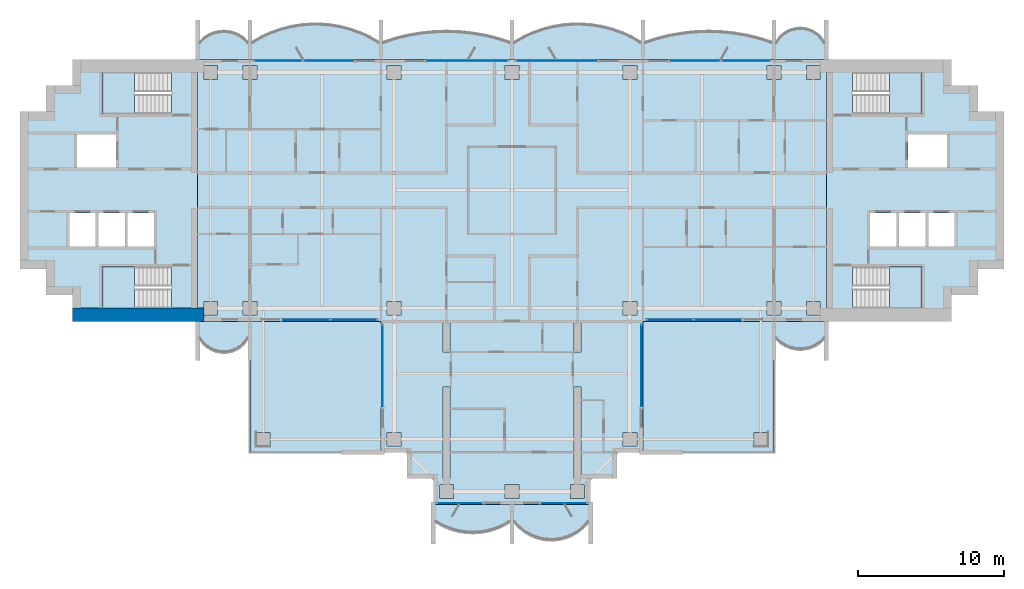
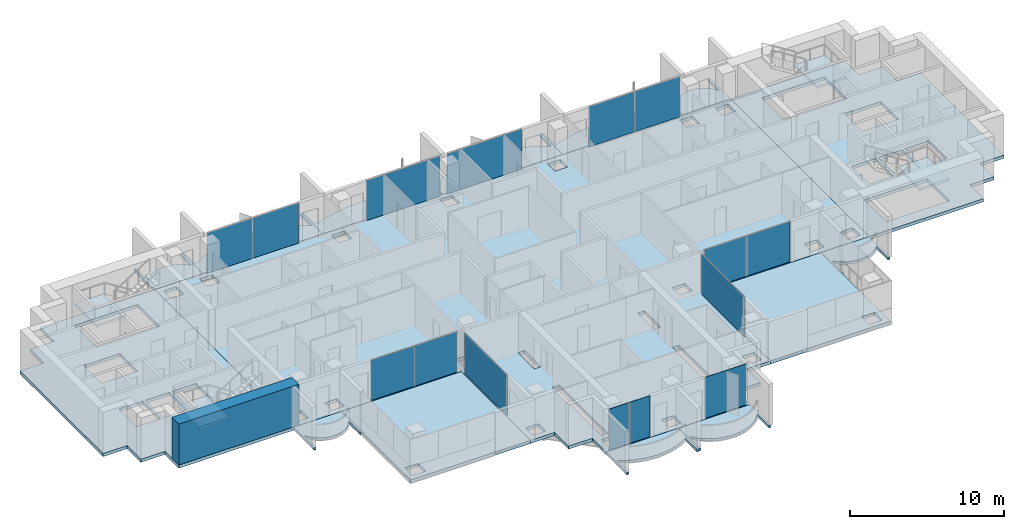
# One storey, part 7 of 17: 19 slabs, 14 plates, 1 wall, 14 elements without a shape of their own.
"""IFC4 building model written with IfcOpenShell, lengths in metres."""

from ifc_helpers import new_model, si_unit, direction, frame, frame_2d, origin, origin_2d, place, context, subcontext, project, spatial, polyline, rectangle, outline, extrude, material, layer, layer_set, type_object, element, aggregate, save


model = new_model("IFC4")

# Units and contexts
model_context = context("Model", 3, precision=1e-05, world=origin(), true_north=direction((0.0, 1.0)))
body_context = subcontext(model_context, "Body", "Model", "MODEL_VIEW")
ifc_project = project(units=[si_unit("LENGTHUNIT", "METRE"), si_unit("AREAUNIT", "SQUARE_METRE"), si_unit("VOLUMEUNIT", "CUBIC_METRE"), si_unit("PLANEANGLEUNIT", "RADIAN"), si_unit("MASSUNIT", "GRAM", prefix="KILO")], contexts=[model_context])

# Site, building, storey
site_placement = place(None, origin())
site = spatial("IfcSite", under=ifc_project, at=site_placement, CompositionType="ELEMENT")
building_placement = place(site_placement, origin())
building = spatial("IfcBuilding", under=site, at=building_placement, Name="Perihelion Cross Residences", CompositionType="ELEMENT")
storey_placement = place(building_placement, frame((0.0, 0.0, 201.60009765625)))
storey = spatial("IfcBuildingStorey", under=building, at=storey_placement, Name="L50", CompositionType="ELEMENT", Elevation=201.60009765625)

# Slabs
ifc_material_1 = material(Name="Concrete C40/50", Category="concrete")
ifc_layer_1 = layer(ifc_material_1, 0.199951171875)
ifc_layer_set_1 = layer_set([ifc_layer_1], Name="Balcony slab 200")
slab_type_1 = type_object("IfcSlabType", Name="Balcony slab 200", PredefinedType="FLOOR", material=ifc_layer_set_1)
slab_1_placement = place(storey_placement, frame((0.0, 0.0, -0.2001953125)))
element("IfcSlab", 1, at=slab_1_placement, inside=storey, type_object=slab_type_1, Name="Slab BK1 L50 east side north bay 1 balcony", PredefinedType="FLOOR", context=body_context, shape_type="SweptSolid", body=[
    extrude(outline(polyline([(21.60009765625, 9.0), (18.0, 9.0), (18.0, 11.699951171875), (18.14990234375, 11.699951171875), (18.14990234375, 10.199951171875), (18.425048828125, 10.568603515625), (18.699951171875, 10.806396484375), (18.97509765625, 10.96875), (19.25, 11.07568359375), (19.52490234375, 11.136962890625), (19.800048828125, 11.156982421875), (20.074951171875, 11.136962890625), (20.35009765625, 11.07568359375), (20.625, 10.96875), (20.89990234375, 10.806396484375), (21.175048828125, 10.568603515625), (21.449951171875, 10.199951171875), (21.449951171875, 11.699951171875), (21.60009765625, 11.699951171875), (21.60009765625, 9.0)])), origin(), (0.0, 0.0, 1.0), 0.2001953125),
])
slab_2_placement = place(storey_placement, frame((0.0, 0.0, -0.2001953125)))
element("IfcSlab", 2, at=slab_2_placement, inside=storey, type_object=slab_type_1, Name="Slab BK1 L50 east side north bay 2 balcony", PredefinedType="FLOOR", context=body_context, shape_type="SweptSolid", body=[
    extrude(outline(polyline([(18.0, 9.0), (9.0, 9.0), (9.0, 11.699951171875), (9.14990234375, 11.699951171875), (9.14990234375, 10.199951171875), (10.02001953125, 10.47509765625), (10.889892578125, 10.68505859375), (11.760009765625, 10.8330078125), (12.6298828125, 10.9208984375), (13.5, 10.949951171875), (14.3701171875, 10.9208984375), (15.239990234375, 10.8330078125), (16.110107421875, 10.68505859375), (16.97998046875, 10.47509765625), (17.85009765625, 10.199951171875), (17.85009765625, 11.699951171875), (18.0, 11.699951171875), (18.0, 9.0)])), origin(), (0.0, 0.0, 1.0), 0.2001953125),
])
slab_3_placement = place(storey_placement, frame((0.0, 0.0, -0.2001953125)))
element("IfcSlab", 3, at=slab_3_placement, inside=storey, type_object=slab_type_1, Name="Slab BK1 L50 north side east bay 1 balcony", PredefinedType="FLOOR", context=body_context, shape_type="SweptSolid", body=[
    extrude(outline(polyline([(9.0, 9.0), (0.0, 9.0), (0.0, 11.699951171875), (0.14990234375, 11.699951171875), (0.14990234375, 10.199951171875), (0.8193359375, 10.57666015625), (1.488525390625, 10.87646484375), (2.15771484375, 11.108154296875), (2.826904296875, 11.27734375), (3.49609375, 11.38818359375), (4.165283203125, 11.443115234375), (4.834716796875, 11.443115234375), (5.50390625, 11.38818359375), (6.173095703125, 11.27734375), (6.84228515625, 11.108154296875), (7.511474609375, 10.87646484375), (8.1806640625, 10.57666015625), (8.85009765625, 10.199951171875), (8.85009765625, 11.699951171875), (9.0, 11.699951171875), (9.0, 9.0)])), origin(), (0.0, 0.0, 1.0), 0.2001953125),
])
slab_4_placement = place(storey_placement, frame((0.0, 0.0, -0.2001953125)))
element("IfcSlab", 4, at=slab_4_placement, inside=storey, type_object=slab_type_1, Name="Slab BK1 L50 north side east bay 2 balcony", PredefinedType="FLOOR", context=body_context, shape_type="SweptSolid", body=[
    extrude(outline(polyline([(0.0, 9.0), (-9.0, 9.0), (-9.0, 11.699951171875), (-8.85009765625, 11.699951171875), (-8.85009765625, 10.199951171875), (-7.97998046875, 10.47509765625), (-7.110107421875, 10.68505859375), (-6.239990234375, 10.8330078125), (-5.3701171875, 10.9208984375), (-4.5, 10.949951171875), (-3.6298828125, 10.9208984375), (-2.760009765625, 10.8330078125), (-1.889892578125, 10.68505859375), (-1.02001953125, 10.47509765625), (-0.14990234375, 10.199951171875), (-0.14990234375, 11.699951171875), (0.0, 11.699951171875), (0.0, 9.0)])), origin(), (0.0, 0.0, 1.0), 0.2001953125),
])
slab_5_placement = place(storey_placement, frame((0.0, 0.0, -0.2001953125)))
element("IfcSlab", 5, at=slab_5_placement, inside=storey, type_object=slab_type_1, Name="Slab BK1 L50 west side north bay 1 balcony", PredefinedType="FLOOR", context=body_context, shape_type="SweptSolid", body=[
    extrude(outline(polyline([(-9.0, 9.0), (-18.0, 9.0), (-18.0, 11.699951171875), (-17.85009765625, 11.699951171875), (-17.85009765625, 10.199951171875), (-17.1806640625, 10.57666015625), (-16.511474609375, 10.87646484375), (-15.84228515625, 11.108154296875), (-15.173095703125, 11.27734375), (-14.50390625, 11.38818359375), (-13.834716796875, 11.443115234375), (-13.165283203125, 11.443115234375), (-12.49609375, 11.38818359375), (-11.826904296875, 11.27734375), (-11.15771484375, 11.108154296875), (-10.488525390625, 10.87646484375), (-9.8193359375, 10.57666015625), (-9.14990234375, 10.199951171875), (-9.14990234375, 11.699951171875), (-9.0, 11.699951171875), (-9.0, 9.0)])), origin(), (0.0, 0.0, 1.0), 0.2001953125),
])
slab_6_placement = place(storey_placement, frame((0.0, 0.0, -0.2001953125)))
element("IfcSlab", 6, at=slab_6_placement, inside=storey, type_object=slab_type_1, Name="Slab BK1 L50 west side north bay 2 balcony", PredefinedType="FLOOR", context=body_context, shape_type="SweptSolid", body=[
    extrude(outline(polyline([(-18.0, 9.0), (-21.60009765625, 9.0), (-21.60009765625, 11.699951171875), (-21.449951171875, 11.699951171875), (-21.449951171875, 10.199951171875), (-21.1201171875, 10.507568359375), (-20.7900390625, 10.71337890625), (-20.4599609375, 10.84814453125), (-20.1298828125, 10.925048828125), (-19.800048828125, 10.949951171875), (-19.469970703125, 10.925048828125), (-19.139892578125, 10.84814453125), (-18.81005859375, 10.71337890625), (-18.47998046875, 10.507568359375), (-18.14990234375, 10.199951171875), (-18.14990234375, 11.699951171875), (-18.0, 11.699951171875), (-18.0, 9.0)])), origin(), (0.0, 0.0, 1.0), 0.2001953125),
])
slab_7_placement = place(storey_placement, frame((0.0, 0.0, -0.2001953125)))
element("IfcSlab", 7, at=slab_7_placement, inside=storey, type_object=slab_type_1, Name="Slab BK1 L50 west side south bay 1 balcony", PredefinedType="FLOOR", context=body_context, shape_type="SweptSolid", body=[
    extrude(outline(polyline([(-21.60009765625, -9.0), (-18.0, -9.0), (-18.0, -11.699951171875), (-18.14990234375, -11.699951171875), (-18.14990234375, -10.199951171875), (-18.425048828125, -10.568603515625), (-18.699951171875, -10.806396484375), (-18.97509765625, -10.96875), (-19.25, -11.07568359375), (-19.52490234375, -11.136962890625), (-19.800048828125, -11.156982421875), (-20.074951171875, -11.136962890625), (-20.35009765625, -11.07568359375), (-20.625, -10.96875), (-20.89990234375, -10.806396484375), (-21.175048828125, -10.568603515625), (-21.449951171875, -10.199951171875), (-21.449951171875, -11.699951171875), (-21.60009765625, -11.699951171875), (-21.60009765625, -9.0)])), origin(), (0.0, 0.0, 1.0), 0.2001953125),
])
slab_8_placement = place(storey_placement, frame((0.0, 0.0, -0.2001953125)))
element("IfcSlab", 8, at=slab_8_placement, inside=storey, type_object=slab_type_1, Name="Slab BK1 L50 south tip south bay 1 balcony", PredefinedType="FLOOR", context=body_context, shape_type="SweptSolid", body=[
    extrude(outline(polyline([(-5.39990234375, -21.60009765625), (0.0, -21.60009765625), (0.0, -24.300048828125), (-0.14990234375, -24.300048828125), (-0.14990234375, -22.800048828125), (-0.659912109375, -23.085205078125), (-1.169921875, -23.294677734375), (-1.679931640625, -23.438232421875), (-2.18994140625, -23.522216796875), (-2.699951171875, -23.550048828125), (-3.2099609375, -23.522216796875), (-3.719970703125, -23.438232421875), (-4.22998046875, -23.294677734375), (-4.739990234375, -23.085205078125), (-5.25, -22.800048828125), (-5.25, -24.300048828125), (-5.39990234375, -24.300048828125), (-5.39990234375, -21.60009765625)])), origin(), (0.0, 0.0, 1.0), 0.2001953125),
])
slab_9_placement = place(storey_placement, frame((0.0, 0.0, -0.2001953125)))
element("IfcSlab", 9, at=slab_9_placement, inside=storey, type_object=slab_type_1, Name="Slab BK1 L50 south tip south bay 2 balcony", PredefinedType="FLOOR", context=body_context, shape_type="SweptSolid", body=[
    extrude(outline(polyline([(0.0, -21.60009765625), (5.39990234375, -21.60009765625), (5.39990234375, -24.300048828125), (5.25, -24.300048828125), (5.25, -22.800048828125), (4.857666015625, -23.22216796875), (4.46533203125, -23.524169921875), (4.072998046875, -23.7431640625), (3.6806640625, -23.897216796875), (3.28857421875, -23.995849609375), (2.896240234375, -24.0439453125), (2.50390625, -24.0439453125), (2.111572265625, -23.995849609375), (1.71923828125, -23.897216796875), (1.326904296875, -23.7431640625), (0.9345703125, -23.524169921875), (0.542236328125, -23.22216796875), (0.14990234375, -22.800048828125), (0.14990234375, -24.300048828125), (0.0, -24.300048828125), (0.0, -21.60009765625)])), origin(), (0.0, 0.0, 1.0), 0.2001953125),
])
slab_10_placement = place(storey_placement, frame((0.0, 0.0, -0.2001953125)))
element("IfcSlab", 10, at=slab_10_placement, inside=storey, type_object=slab_type_1, Name="Slab BK1 L50 east side south bay 2 balcony", PredefinedType="FLOOR", context=body_context, shape_type="SweptSolid", body=[
    extrude(outline(polyline([(18.0, -9.0), (21.60009765625, -9.0), (21.60009765625, -11.699951171875), (21.449951171875, -11.699951171875), (21.449951171875, -10.199951171875), (21.1201171875, -10.507568359375), (20.7900390625, -10.71337890625), (20.4599609375, -10.84814453125), (20.1298828125, -10.925048828125), (19.800048828125, -10.949951171875), (19.469970703125, -10.925048828125), (19.139892578125, -10.84814453125), (18.81005859375, -10.71337890625), (18.47998046875, -10.507568359375), (18.14990234375, -10.199951171875), (18.14990234375, -11.699951171875), (18.0, -11.699951171875), (18.0, -9.0)])), origin(), (0.0, 0.0, 1.0), 0.2001953125),
])

# Curtain wall, plates
ifc_material_2 = material(Name="Bronze anodised aluminium, tinted glazing", Category="aluminium")
curtain_wall_type = type_object("IfcCurtainWallType", Name="CW1", PredefinedType="NOTDEFINED", material=ifc_material_2)
curtain_wall_1_placement = place(storey_placement, origin())
curtain_wall_1 = element("IfcCurtainWall", 11, at=curtain_wall_1_placement, inside=storey, type_object=curtain_wall_type, Name="Curtain wall CW1 L50 east side north bay 2", PredefinedType="NOTDEFINED")
ifc_material_3 = material(Name="Tinted laminated glass", Category="glass")
ifc_layer_2 = layer(ifc_material_3, 0.028076171875)
ifc_layer_set_2 = layer_set([ifc_layer_2], Name="CW1 panel")
plate_type = type_object("IfcPlateType", Name="CW1 panel", PredefinedType="CURTAIN_PANEL", material=ifc_layer_set_2)
plate_1_placement = place(storey_placement, frame((16.06005859375, 8.89990234375, 0.0), z_axis=(0.0, 0.0, 1.0), x_axis=(-1.0, 0.0, 0.0)))
plate_1 = element("IfcPlate", 12, at=plate_1_placement, type_object=plate_type, Name="CW1 panel 1", PredefinedType="CURTAIN_PANEL", context=body_context, shape_type="SweptSolid", body=[
    extrude(rectangle(XDim=3.360107421875, YDim=0.028076171875, at=origin_2d()), origin(), (0.0, 0.0, 1.0), 3.18994140625),
])
plate_2_placement = place(storey_placement, frame((12.610107421875, 8.89990234375, 0.0), z_axis=(0.0, 0.0, 1.0), x_axis=(-1.0, 0.0, 0.0)))
plate_2 = element("IfcPlate", 13, at=plate_2_placement, type_object=plate_type, Name="CW1 panel 2", PredefinedType="CURTAIN_PANEL", context=body_context, shape_type="SweptSolid", body=[
    extrude(rectangle(XDim=3.419921875, YDim=0.028076171875, at=origin_2d()), origin(), (0.0, 0.0, 1.0), 3.18994140625),
])
aggregate(curtain_wall_1, [plate_1, plate_2])

# Curtain wall, plate
curtain_wall_2_placement = place(storey_placement, origin())
curtain_wall_2 = element("IfcCurtainWall", 14, at=curtain_wall_2_placement, inside=storey, type_object=curtain_wall_type, Name="Curtain wall CW1 L50 north side east bay 1", PredefinedType="NOTDEFINED")
plate_3_placement = place(storey_placement, frame((3.04248046875, 8.89990234375, 0.0), z_axis=(0.0, 0.0, 1.0), x_axis=(-1.0, 0.0, 0.0)))
plate_3 = element("IfcPlate", 15, at=plate_3_placement, type_object=plate_type, Name="CW1 panel 1", PredefinedType="CURTAIN_PANEL", context=body_context, shape_type="SweptSolid", body=[
    extrude(rectangle(XDim=5.56494140625, YDim=0.028076171875, at=origin_2d()), origin(), (0.0, 0.0, 1.0), 3.18994140625),
])
aggregate(curtain_wall_2, [plate_3])

curtain_wall_3_placement = place(storey_placement, origin())
curtain_wall_3 = element("IfcCurtainWall", 16, at=curtain_wall_3_placement, inside=storey, type_object=curtain_wall_type, Name="Curtain wall CW1 L50 north side east bay 2", PredefinedType="NOTDEFINED")
plate_4_placement = place(storey_placement, frame((-3.04248046875, 8.89990234375, 0.0), z_axis=(0.0, 0.0, 1.0), x_axis=(-1.0, 0.0, 0.0)))
plate_4 = element("IfcPlate", 17, at=plate_4_placement, type_object=plate_type, Name="CW1 panel 1", PredefinedType="CURTAIN_PANEL", context=body_context, shape_type="SweptSolid", body=[
    extrude(rectangle(XDim=5.56494140625, YDim=0.028076171875, at=origin_2d()), origin(), (0.0, 0.0, 1.0), 3.18994140625),
])
aggregate(curtain_wall_3, [plate_4])

# Curtain wall, plates
curtain_wall_4_placement = place(storey_placement, origin())
curtain_wall_4 = element("IfcCurtainWall", 18, at=curtain_wall_4_placement, inside=storey, type_object=curtain_wall_type, Name="Curtain wall CW1 L50 west side north bay 1", PredefinedType="NOTDEFINED")
plate_5_placement = place(storey_placement, frame((-12.610107421875, 8.89990234375, 0.0), z_axis=(0.0, 0.0, 1.0), x_axis=(-1.0, 0.0, 0.0)))
plate_5 = element("IfcPlate", 19, at=plate_5_placement, type_object=plate_type, Name="CW1 panel 1", PredefinedType="CURTAIN_PANEL", context=body_context, shape_type="SweptSolid", body=[
    extrude(rectangle(XDim=3.419921875, YDim=0.028076171875, at=origin_2d()), origin(), (0.0, 0.0, 1.0), 3.18994140625),
])
plate_6_placement = place(storey_placement, frame((-16.06005859375, 8.89990234375, 0.0), z_axis=(0.0, 0.0, 1.0), x_axis=(-1.0, 0.0, 0.0)))
plate_6 = element("IfcPlate", 20, at=plate_6_placement, type_object=plate_type, Name="CW1 panel 2", PredefinedType="CURTAIN_PANEL", context=body_context, shape_type="SweptSolid", body=[
    extrude(rectangle(XDim=3.360107421875, YDim=0.028076171875, at=origin_2d()), origin(), (0.0, 0.0, 1.0), 3.18994140625),
])
aggregate(curtain_wall_4, [plate_5, plate_6])

curtain_wall_5_placement = place(storey_placement, origin())
curtain_wall_5 = element("IfcCurtainWall", 21, at=curtain_wall_5_placement, inside=storey, type_object=curtain_wall_type, Name="Curtain wall CW1 L50 west side south bay 2", PredefinedType="NOTDEFINED")
plate_7_placement = place(storey_placement, frame((-14.108642578125, -8.89990234375, 0.0), z_axis=(0.0, 0.0, 1.0), x_axis=(1.0, 0.0, 0.0)))
plate_7 = element("IfcPlate", 22, at=plate_7_placement, type_object=plate_type, Name="CW1 panel 1", PredefinedType="CURTAIN_PANEL", context=body_context, shape_type="SweptSolid", body=[
    extrude(rectangle(XDim=3.232421875, YDim=0.028076171875, at=origin_2d()), origin(), (0.0, 0.0, 1.0), 3.18994140625),
])
plate_8_placement = place(storey_placement, frame((-10.84619140625, -8.89990234375, 0.0), z_axis=(0.0, 0.0, 1.0), x_axis=(1.0, 0.0, 0.0)))
plate_8 = element("IfcPlate", 23, at=plate_8_placement, type_object=plate_type, Name="CW1 panel 2", PredefinedType="CURTAIN_PANEL", context=body_context, shape_type="SweptSolid", body=[
    extrude(rectangle(XDim=3.172607421875, YDim=0.028076171875, at=origin_2d()), origin(), (0.0, 0.0, 1.0), 3.18994140625),
])
aggregate(curtain_wall_5, [plate_7, plate_8])

# Curtain wall, plate
curtain_wall_6_placement = place(storey_placement, origin())
curtain_wall_6 = element("IfcCurtainWall", 24, at=curtain_wall_6_placement, inside=storey, type_object=curtain_wall_type, Name="Curtain wall CW1 L50 south side west bay 1", PredefinedType="NOTDEFINED")
plate_9_placement = place(storey_placement, frame((-8.89990234375, -12.04248046875, 0.0), z_axis=(0.0, 0.0, 1.0), x_axis=(0.0, -1.0, 0.0)))
plate_9 = element("IfcPlate", 25, at=plate_9_placement, type_object=plate_type, Name="CW1 panel 1", PredefinedType="CURTAIN_PANEL", context=body_context, shape_type="SweptSolid", body=[
    extrude(rectangle(XDim=5.56494140625, YDim=0.028076171875, at=origin_2d()), origin(), (0.0, 0.0, 1.0), 3.18994140625),
])
aggregate(curtain_wall_6, [plate_9])

curtain_wall_7_placement = place(storey_placement, origin())
curtain_wall_7 = element("IfcCurtainWall", 26, at=curtain_wall_7_placement, inside=storey, type_object=curtain_wall_type, Name="Curtain wall CW1 L50 south tip south bay 1", PredefinedType="NOTDEFINED")
plate_10_placement = place(storey_placement, frame((-3.607421875, -21.5, 0.0), z_axis=(0.0, 0.0, 1.0), x_axis=(1.0, 0.0, 0.0)))
plate_10 = element("IfcPlate", 27, at=plate_10_placement, type_object=plate_type, Name="CW1 panel 1", PredefinedType="CURTAIN_PANEL", context=body_context, shape_type="SweptSolid", body=[
    extrude(rectangle(XDim=3.06494140625, YDim=0.028076171875, at=origin_2d()), origin(), (0.0, 0.0, 1.0), 3.25),
])
aggregate(curtain_wall_7, [plate_10])

curtain_wall_8_placement = place(storey_placement, origin())
curtain_wall_8 = element("IfcCurtainWall", 28, at=curtain_wall_8_placement, inside=storey, type_object=curtain_wall_type, Name="Curtain wall CW1 L50 south tip south bay 2", PredefinedType="NOTDEFINED")
plate_11_placement = place(storey_placement, frame((3.607421875, -21.5, 0.0), z_axis=(0.0, 0.0, 1.0), x_axis=(1.0, 0.0, 0.0)))
plate_11 = element("IfcPlate", 29, at=plate_11_placement, type_object=plate_type, Name="CW1 panel 1", PredefinedType="CURTAIN_PANEL", context=body_context, shape_type="SweptSolid", body=[
    extrude(rectangle(XDim=3.06494140625, YDim=0.028076171875, at=origin_2d()), origin(), (0.0, 0.0, 1.0), 3.25),
])
aggregate(curtain_wall_8, [plate_11])

curtain_wall_9_placement = place(storey_placement, origin())
curtain_wall_9 = element("IfcCurtainWall", 30, at=curtain_wall_9_placement, inside=storey, type_object=curtain_wall_type, Name="Curtain wall CW1 L50 south side east bay 1", PredefinedType="NOTDEFINED")
plate_12_placement = place(storey_placement, frame((8.89990234375, -12.04248046875, 0.0), z_axis=(0.0, 0.0, 1.0), x_axis=(0.0, 1.0, 0.0)))
plate_12 = element("IfcPlate", 31, at=plate_12_placement, type_object=plate_type, Name="CW1 panel 1", PredefinedType="CURTAIN_PANEL", context=body_context, shape_type="SweptSolid", body=[
    extrude(rectangle(XDim=5.56494140625, YDim=0.028076171875, at=origin_2d()), origin(), (0.0, 0.0, 1.0), 3.18994140625),
])
aggregate(curtain_wall_9, [plate_12])

# Curtain wall, plates
curtain_wall_10_placement = place(storey_placement, origin())
curtain_wall_10 = element("IfcCurtainWall", 32, at=curtain_wall_10_placement, inside=storey, type_object=curtain_wall_type, Name="Curtain wall CW1 L50 east side south bay 1", PredefinedType="NOTDEFINED")
plate_13_placement = place(storey_placement, frame((10.84619140625, -8.89990234375, 0.0), z_axis=(0.0, 0.0, 1.0), x_axis=(1.0, 0.0, 0.0)))
plate_13 = element("IfcPlate", 33, at=plate_13_placement, type_object=plate_type, Name="CW1 panel 1", PredefinedType="CURTAIN_PANEL", context=body_context, shape_type="SweptSolid", body=[
    extrude(rectangle(XDim=3.172607421875, YDim=0.028076171875, at=origin_2d()), origin(), (0.0, 0.0, 1.0), 3.18994140625),
])
plate_14_placement = place(storey_placement, frame((14.108642578125, -8.89990234375, 0.0), z_axis=(0.0, 0.0, 1.0), x_axis=(1.0, 0.0, 0.0)))
plate_14 = element("IfcPlate", 34, at=plate_14_placement, type_object=plate_type, Name="CW1 panel 2", PredefinedType="CURTAIN_PANEL", context=body_context, shape_type="SweptSolid", body=[
    extrude(rectangle(XDim=3.232421875, YDim=0.028076171875, at=origin_2d()), origin(), (0.0, 0.0, 1.0), 3.18994140625),
])
aggregate(curtain_wall_10, [plate_13, plate_14])

# Slabs
ifc_material_4 = material(Name="Concrete C40/50", Category="concrete")
ifc_layer_3 = layer(ifc_material_4, 0.25)
ifc_layer_set_3 = layer_set([ifc_layer_3], Name="Core floor slab 250")
slab_type_2 = type_object("IfcSlabType", Name="Core floor slab 250", PredefinedType="FLOOR", material=ifc_layer_set_3)
slab_11_placement = place(storey_placement, frame((0.0, 0.0, -0.25)))
element("IfcSlab", 35, at=slab_11_placement, inside=storey, type_object=slab_type_2, Name="East core floor slab", PredefinedType="FLOOR", context=body_context, shape_type="SweptSolid", body=[
    extrude(outline(polyline([(30.199951171875, 7.199951171875), (32.0, 7.199951171875), (32.0, 5.39990234375), (33.800048828125, 5.39990234375), (33.800048828125, -5.39990234375), (32.0, -5.39990234375), (32.0, -7.199951171875), (30.199951171875, -7.199951171875), (30.199951171875, -9.0), (21.60009765625, -9.0), (21.60009765625, 9.0), (30.199951171875, 9.0), (30.199951171875, 7.199951171875)]), holes=[polyline([(28.14990234375, -8.10009765625), (28.14990234375, -5.25), (23.405029296875, -5.25), (23.405029296875, -8.10009765625), (28.14990234375, -8.10009765625)]), polyline([(24.60009765625, -1.550048828125), (24.60009765625, -3.85009765625), (26.39990234375, -3.85009765625), (26.39990234375, -1.550048828125), (24.60009765625, -1.550048828125)]), polyline([(26.60009765625, -1.550048828125), (26.60009765625, -3.85009765625), (28.39990234375, -3.85009765625), (28.39990234375, -1.550048828125), (26.60009765625, -1.550048828125)]), polyline([(28.60009765625, -3.85009765625), (30.39990234375, -3.85009765625), (30.39990234375, -1.550048828125), (28.60009765625, -1.550048828125), (28.60009765625, -3.85009765625)]), polyline([(27.199951171875, 3.85009765625), (27.199951171875, 1.550048828125), (29.89990234375, 1.550048828125), (29.89990234375, 3.85009765625), (27.199951171875, 3.85009765625)]), polyline([(23.405029296875, 5.25), (28.14990234375, 5.25), (28.14990234375, 8.10009765625), (23.405029296875, 8.10009765625), (23.405029296875, 5.25)])]), origin(), (0.0, 0.0, 1.0), 0.25),
])
slab_12_placement = place(storey_placement, frame((0.0, 0.0, -0.25)))
element("IfcSlab", 36, at=slab_12_placement, inside=storey, type_object=slab_type_2, Name="West core floor slab", PredefinedType="FLOOR", context=body_context, shape_type="SweptSolid", body=[
    extrude(outline(polyline([(-30.199951171875, 7.199951171875), (-32.0, 7.199951171875), (-32.0, 5.39990234375), (-33.800048828125, 5.39990234375), (-33.800048828125, -5.39990234375), (-32.0, -5.39990234375), (-32.0, -7.199951171875), (-30.199951171875, -7.199951171875), (-30.199951171875, -9.0), (-21.60009765625, -9.0), (-21.60009765625, 9.0), (-30.199951171875, 9.0), (-30.199951171875, 7.199951171875)]), holes=[polyline([(-28.14990234375, -8.10009765625), (-28.14990234375, -5.25), (-23.405029296875, -5.25), (-23.405029296875, -8.10009765625), (-28.14990234375, -8.10009765625)]), polyline([(-24.60009765625, -1.550048828125), (-24.60009765625, -3.85009765625), (-26.39990234375, -3.85009765625), (-26.39990234375, -1.550048828125), (-24.60009765625, -1.550048828125)]), polyline([(-26.60009765625, -1.550048828125), (-26.60009765625, -3.85009765625), (-28.39990234375, -3.85009765625), (-28.39990234375, -1.550048828125), (-26.60009765625, -1.550048828125)]), polyline([(-28.60009765625, -3.85009765625), (-30.39990234375, -3.85009765625), (-30.39990234375, -1.550048828125), (-28.60009765625, -1.550048828125), (-28.60009765625, -3.85009765625)]), polyline([(-27.199951171875, 3.85009765625), (-27.199951171875, 1.550048828125), (-29.89990234375, 1.550048828125), (-29.89990234375, 3.85009765625), (-27.199951171875, 3.85009765625)]), polyline([(-23.405029296875, 5.25), (-28.14990234375, 5.25), (-28.14990234375, 8.10009765625), (-23.405029296875, 8.10009765625), (-23.405029296875, 5.25)])]), origin(), (0.0, 0.0, 1.0), 0.25),
])
ifc_material_5 = material(Name="Concrete C40/50", Category="concrete")
ifc_layer_4 = layer(ifc_material_5, 0.25)
ifc_layer_set_4 = layer_set([ifc_layer_4], Name="Corner terrace slab")
slab_type_3 = type_object("IfcSlabType", Name="Corner terrace slab", PredefinedType="FLOOR", material=ifc_layer_set_4)
slab_13_placement = place(storey_placement, frame((0.0, 0.0, -0.25)))
element("IfcSlab", 37, at=slab_13_placement, inside=storey, type_object=slab_type_3, Name="Slab BK2 L50 pocket south-west", PredefinedType="FLOOR", context=body_context, shape_type="SweptSolid", body=[
    extrude(outline(polyline([(-9.0, -18.0), (-9.0, -9.0), (-18.0, -9.0), (-18.0, -18.0), (-9.0, -18.0)]), holes=[polyline([(-16.625, -17.614990234375), (-17.614990234375, -17.614990234375), (-17.614990234375, -16.5849609375), (-17.574951171875, -16.5849609375), (-17.574951171875, -16.625), (-16.625, -16.625), (-16.625, -17.614990234375)])]), origin(), (0.0, 0.0, 1.0), 0.25),
])
slab_14_placement = place(storey_placement, frame((0.0, 0.0, -0.25)))
element("IfcSlab", 38, at=slab_14_placement, inside=storey, type_object=slab_type_3, Name="Slab BK2 L50 pocket south-east", PredefinedType="FLOOR", context=body_context, shape_type="SweptSolid", body=[
    extrude(outline(polyline([(18.0, -18.0), (18.0, -9.0), (9.0, -9.0), (9.0, -18.0), (18.0, -18.0)]), holes=[polyline([(16.625, -17.614990234375), (16.625, -16.625), (17.574951171875, -16.625), (17.574951171875, -16.5849609375), (17.614990234375, -16.5849609375), (17.614990234375, -17.614990234375), (16.625, -17.614990234375)])]), origin(), (0.0, 0.0, 1.0), 0.25),
])

# Stair, slab
ifc_material_6 = material(Name="Concrete C40/50", Category="concrete")
stair_type = type_object("IfcStairType", Name="Exit stair, half-turn", PredefinedType="HALF_TURN_STAIR", material=ifc_material_6)
stair_1_placement = place(storey_placement, origin())
stair_1 = element("IfcStair", 39, at=stair_1_placement, inside=storey, type_object=stair_type, Name="L50 East core exit stair 1", PredefinedType="HALF_TURN_STAIR")
ifc_material_7 = material(Name="Concrete C40/50", Category="concrete")
ifc_layer_5 = layer(ifc_material_7, 0.199951171875)
ifc_layer_set_5 = layer_set([ifc_layer_5], Name="Exit stair landing 200")
slab_type_4 = type_object("IfcSlabType", Name="Exit stair landing 200", PredefinedType="LANDING", material=ifc_layer_set_5)
slab_15_placement = place(storey_placement, frame((0.0, 0.0, 1.5498046875)))
slab_15 = element("IfcSlab", 40, at=slab_15_placement, type_object=slab_type_4, Name="ST-E1 landing 1", PredefinedType="LANDING", context=body_context, shape_type="SweptSolid", body=[
    extrude(outline(polyline([(25.919921875, 5.25), (28.14990234375, 5.25), (28.14990234375, 8.10009765625), (25.919921875, 8.10009765625), (25.919921875, 5.25)])), origin(), (0.0, 0.0, 1.0), 0.2001953125),
])
aggregate(stair_1, [slab_15])

stair_2_placement = place(storey_placement, origin())
stair_2 = element("IfcStair", 41, at=stair_2_placement, inside=storey, type_object=stair_type, Name="L50 East core exit stair 2", PredefinedType="HALF_TURN_STAIR")
slab_16_placement = place(storey_placement, frame((0.0, 0.0, 1.5498046875)))
slab_16 = element("IfcSlab", 42, at=slab_16_placement, type_object=slab_type_4, Name="ST-E2 landing 1", PredefinedType="LANDING", context=body_context, shape_type="SweptSolid", body=[
    extrude(outline(polyline([(25.919921875, -8.10009765625), (28.14990234375, -8.10009765625), (28.14990234375, -5.25), (25.919921875, -5.25), (25.919921875, -8.10009765625)])), origin(), (0.0, 0.0, 1.0), 0.2001953125),
])
aggregate(stair_2, [slab_16])

stair_3_placement = place(storey_placement, origin())
stair_3 = element("IfcStair", 43, at=stair_3_placement, inside=storey, type_object=stair_type, Name="L50 West core exit stair 1", PredefinedType="HALF_TURN_STAIR")
slab_17_placement = place(storey_placement, frame((0.0, 0.0, 1.5498046875)))
slab_17 = element("IfcSlab", 44, at=slab_17_placement, type_object=slab_type_4, Name="ST-W1 landing 1", PredefinedType="LANDING", context=body_context, shape_type="SweptSolid", body=[
    extrude(outline(polyline([(-25.919921875, 8.10009765625), (-28.14990234375, 8.10009765625), (-28.14990234375, 5.25), (-25.919921875, 5.25), (-25.919921875, 8.10009765625)])), origin(), (0.0, 0.0, 1.0), 0.2001953125),
])
aggregate(stair_3, [slab_17])

stair_4_placement = place(storey_placement, origin())
stair_4 = element("IfcStair", 45, at=stair_4_placement, inside=storey, type_object=stair_type, Name="L50 West core exit stair 2", PredefinedType="HALF_TURN_STAIR")
slab_18_placement = place(storey_placement, frame((0.0, 0.0, 1.5498046875)))
slab_18 = element("IfcSlab", 46, at=slab_18_placement, type_object=slab_type_4, Name="ST-W2 landing 1", PredefinedType="LANDING", context=body_context, shape_type="SweptSolid", body=[
    extrude(outline(polyline([(-25.919921875, -5.25), (-28.14990234375, -5.25), (-28.14990234375, -8.10009765625), (-25.919921875, -8.10009765625), (-25.919921875, -5.25)])), origin(), (0.0, 0.0, 1.0), 0.2001953125),
])
aggregate(stair_4, [slab_18])

# Slab
ifc_material_8 = material(Name="Concrete C50/60", Category="concrete")
ifc_layer_6 = layer(ifc_material_8, 0.25)
ifc_layer_set_6 = layer_set([ifc_layer_6], Name="Residential floor post-tensioned slab concrete C50/60")
slab_type_5 = type_object("IfcSlabType", Name="Residential floor post-tensioned slab concrete C50/60", PredefinedType="FLOOR", material=ifc_layer_set_6)
slab_19_placement = place(storey_placement, frame((0.0, 0.0, -0.25)))
element("IfcSlab", 47, at=slab_19_placement, inside=storey, type_object=slab_type_5, Name="Slab SL8 L50 1 no. 1", PredefinedType="FLOOR", context=body_context, shape_type="SweptSolid", body=[
    extrude(outline(polyline([(-9.0, 9.0), (9.0, 9.0), (21.60009765625, 9.0), (21.60009765625, -9.0), (9.0, -9.0), (9.0, -18.0), (7.199951171875, -18.0), (7.199951171875, -19.800048828125), (5.39990234375, -19.800048828125), (5.39990234375, -21.60009765625), (-5.39990234375, -21.60009765625), (-5.39990234375, -19.800048828125), (-7.199951171875, -19.800048828125), (-7.199951171875, -18.0), (-9.0, -18.0), (-9.0, -9.0), (-21.60009765625, -9.0), (-21.60009765625, 9.0), (-9.0, 9.0)]), holes=[polyline([(-4.02490234375, -20.22509765625), (-4.97509765625, -20.22509765625), (-4.97509765625, -21.175048828125), (-4.02490234375, -21.175048828125), (-4.02490234375, -20.22509765625)]), polyline([(0.47509765625, -21.175048828125), (0.47509765625, -20.22509765625), (-0.47509765625, -20.22509765625), (-0.47509765625, -21.175048828125), (0.47509765625, -21.175048828125)]), polyline([(-7.625, -17.574951171875), (-7.625, -16.625), (-8.574951171875, -16.625), (-8.574951171875, -17.574951171875), (-7.625, -17.574951171875)]), polyline([(-4.25, -13.5), (-4.75, -13.5), (-4.75, -19.800048828125), (-4.25, -19.800048828125), (-4.25, -13.5)]), polyline([(-4.25, -11.10009765625), (-4.25, -9.0), (-4.75, -9.0), (-4.75, -11.10009765625), (-4.25, -11.10009765625)]), polyline([(-20.22509765625, -8.574951171875), (-20.22509765625, -7.625), (-21.175048828125, -7.625), (-21.175048828125, -8.574951171875), (-20.22509765625, -8.574951171875)]), polyline([(-17.52490234375, -7.625), (-18.47509765625, -7.625), (-18.47509765625, -8.574951171875), (-17.52490234375, -8.574951171875), (-17.52490234375, -7.625)]), polyline([(-7.625, -8.574951171875), (-7.625, -7.625), (-8.574951171875, -7.625), (-8.574951171875, -8.574951171875), (-7.625, -8.574951171875)]), polyline([(-20.22509765625, 8.574951171875), (-21.175048828125, 8.574951171875), (-21.175048828125, 7.625), (-20.22509765625, 7.625), (-20.22509765625, 8.574951171875)]), polyline([(-17.52490234375, 7.625), (-17.52490234375, 8.574951171875), (-18.47509765625, 8.574951171875), (-18.47509765625, 7.625), (-17.52490234375, 7.625)]), polyline([(-7.625, 7.625), (-7.625, 8.574951171875), (-8.574951171875, 8.574951171875), (-8.574951171875, 7.625), (-7.625, 7.625)]), polyline([(4.97509765625, -20.22509765625), (4.02490234375, -20.22509765625), (4.02490234375, -21.175048828125), (4.97509765625, -21.175048828125), (4.97509765625, -20.22509765625)]), polyline([(8.574951171875, -17.574951171875), (8.574951171875, -16.625), (7.625, -16.625), (7.625, -17.574951171875), (8.574951171875, -17.574951171875)]), polyline([(4.75, -19.800048828125), (4.75, -13.5), (4.25, -13.5), (4.25, -19.800048828125), (4.75, -19.800048828125)]), polyline([(4.75, -9.0), (4.25, -9.0), (4.25, -11.10009765625), (4.75, -11.10009765625), (4.75, -9.0)]), polyline([(8.574951171875, -8.574951171875), (8.574951171875, -7.625), (7.625, -7.625), (7.625, -8.574951171875), (8.574951171875, -8.574951171875)]), polyline([(18.47509765625, -8.574951171875), (18.47509765625, -7.625), (17.52490234375, -7.625), (17.52490234375, -8.574951171875), (18.47509765625, -8.574951171875)]), polyline([(21.175048828125, -7.625), (20.22509765625, -7.625), (20.22509765625, -8.574951171875), (21.175048828125, -8.574951171875), (21.175048828125, -7.625)]), polyline([(0.47509765625, 7.625), (0.47509765625, 8.574951171875), (-0.47509765625, 8.574951171875), (-0.47509765625, 7.625), (0.47509765625, 7.625)]), polyline([(8.574951171875, 8.574951171875), (7.625, 8.574951171875), (7.625, 7.625), (8.574951171875, 7.625), (8.574951171875, 8.574951171875)]), polyline([(18.47509765625, 7.625), (18.47509765625, 8.574951171875), (17.52490234375, 8.574951171875), (17.52490234375, 7.625), (18.47509765625, 7.625)]), polyline([(21.175048828125, 7.625), (21.175048828125, 8.574951171875), (20.22509765625, 8.574951171875), (20.22509765625, 7.625), (21.175048828125, 7.625)])]), origin(), (0.0, 0.0, 1.0), 0.25),
])

# Wall
ifc_material_9 = material(Name="Concrete C60/75", Category="concrete")
ifc_layer_7 = layer(ifc_material_9, 0.89990234375)
ifc_layer_set_7 = layer_set([ifc_layer_7], Name="Core wall, outer 900")
wall_type = type_object("IfcWallType", Name="Core wall, outer 900", PredefinedType="SHEAR", material=ifc_layer_set_7)
wall_placement = place(storey_placement, frame((-30.199951171875, -8.550048828125, 0.0), z_axis=(0.0, 0.0, 1.0), x_axis=(1.0, 0.0, 0.0)))
element("IfcWall", 48, at=wall_placement, inside=storey, type_object=wall_type, Name="West core core wall, outer", PredefinedType="SHEAR", context=body_context, shape_type="SweptSolid", body=[
    extrude(rectangle(XDim=9.02490234375, YDim=0.89990234375, at=frame_2d((4.512451171875, 0.0))), origin(), (0.0, 0.0, 1.0), 3.25),
])

save(model, "model.ifc")
